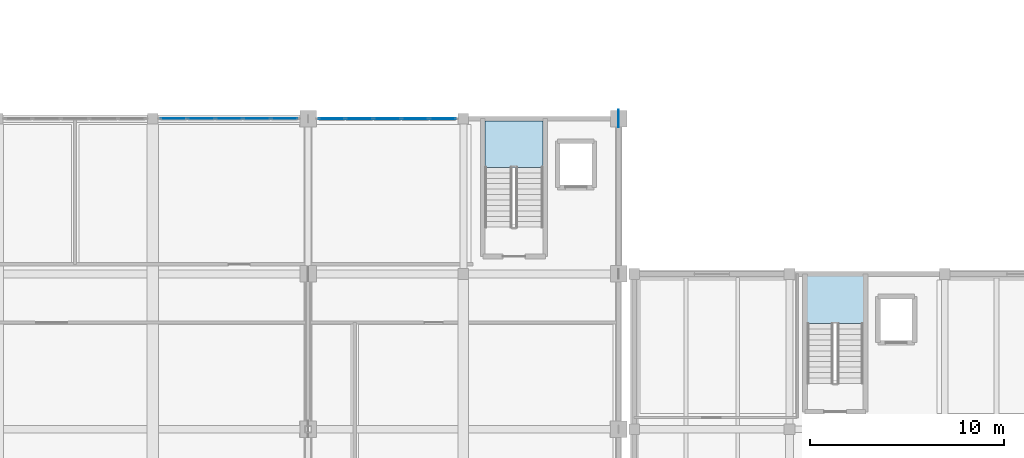
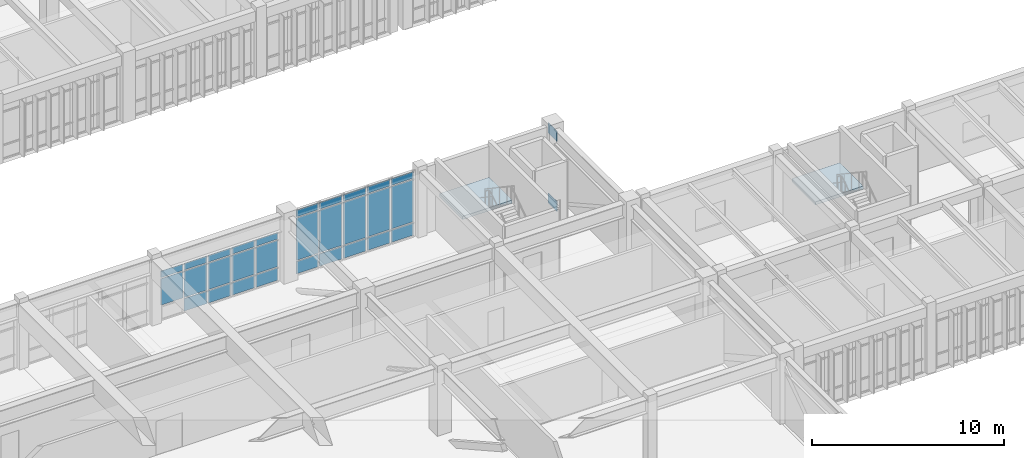
# One storey, part 39 of 79: 31 plates, 2 slabs, 4 elements without a shape of their own.
"""IFC4 building model written with IfcOpenShell, lengths in metres."""

from ifc_helpers import new_model, si_unit, direction, frame, origin, origin_2d, place, context, subcontext, project, spatial, polyline, rectangle, outline, extrude, material, layer, layer_set, type_object, element, aggregate, save


model = new_model("IFC4")

# Units and contexts
model_context = context("Model", 3, precision=1e-05, world=origin(), true_north=direction((0.0, 1.0)))
body_context = subcontext(model_context, "Body", "Model", "MODEL_VIEW")
ifc_project = project(units=[si_unit("LENGTHUNIT", "METRE"), si_unit("AREAUNIT", "SQUARE_METRE"), si_unit("VOLUMEUNIT", "CUBIC_METRE"), si_unit("PLANEANGLEUNIT", "RADIAN"), si_unit("MASSUNIT", "GRAM", prefix="KILO")], contexts=[model_context])

# Site, building, storey
site_placement = place(None, origin())
site = spatial("IfcSite", under=ifc_project, at=site_placement, CompositionType="ELEMENT")
building_placement = place(site_placement, origin())
building = spatial("IfcBuilding", under=site, at=building_placement, Name="Tlaxcora Railside Police Headquarters", CompositionType="ELEMENT")
storey_placement = place(building_placement, frame((0.0, 0.0, 9.0)))
storey = spatial("IfcBuildingStorey", under=building, at=storey_placement, Name="L02", CompositionType="ELEMENT", Elevation=9.0)

# Curtain wall, plates
ifc_material_1 = material(Name="Thermally broken low-E insulated glazing", Category="glass")
curtain_wall_type_1 = type_object("IfcCurtainWallType", Name="Unitised Curtain Wall Assembly CW-23", PredefinedType="NOTDEFINED", material=ifc_material_1)
curtain_wall_1_placement = place(storey_placement, origin())
curtain_wall_1 = element("IfcCurtainWall", 1, at=curtain_wall_1_placement, inside=storey, type_object=curtain_wall_type_1, Name="V2 L02 curtain wall 12", PredefinedType="NOTDEFINED")
ifc_layer_1 = layer(ifc_material_1, 0.0400390625, Name="Thermally broken low-E insulated glazing")
ifc_layer_set_1 = layer_set([ifc_layer_1], Name="Thermally broken low-E insulated glazing")
plate_type_1 = type_object("IfcPlateType", Name="Curtain Wall Infill Panel CW-17", PredefinedType="CURTAIN_PANEL", material=ifc_layer_set_1)
plate_1_placement = place(storey_placement, frame((92.93505859375, 60.0, 0.080078125), z_axis=(0.0, 0.0, 1.0), x_axis=(-1.0, 0.0, 0.0)))
plate_1 = element("IfcPlate", 2, at=plate_1_placement, type_object=plate_type_1, Name="CW panel 1.1", PredefinedType="CURTAIN_PANEL", context=body_context, shape_type="SweptSolid", body=[
    extrude(rectangle(XDim=1.320068359375, YDim=0.0400390625, at=origin_2d()), origin(), (0.0, 0.0, 1.0), 0.780029296875),
])
plate_2_placement = place(storey_placement, frame((92.93505859375, 60.0, 0.93994140625), z_axis=(0.0, 0.0, 1.0), x_axis=(-1.0, 0.0, 0.0)))
plate_2 = element("IfcPlate", 3, at=plate_2_placement, type_object=plate_type_1, Name="CW panel 1.2", PredefinedType="CURTAIN_PANEL", context=body_context, shape_type="SweptSolid", body=[
    extrude(rectangle(XDim=1.320068359375, YDim=0.0400390625, at=origin_2d()), origin(), (0.0, 0.0, 1.0), 2.68994140625),
])
plate_3_placement = place(storey_placement, frame((92.93505859375, 60.0, 3.7099609375), z_axis=(0.0, 0.0, 1.0), x_axis=(-1.0, 0.0, 0.0)))
plate_3 = element("IfcPlate", 4, at=plate_3_placement, type_object=plate_type_1, Name="CW panel 1.3", PredefinedType="CURTAIN_PANEL", context=body_context, shape_type="SweptSolid", body=[
    extrude(rectangle(XDim=1.320068359375, YDim=0.0400390625, at=origin_2d()), origin(), (0.0, 0.0, 1.0), 0.409912109375),
])
plate_4_placement = place(storey_placement, frame((91.514892578125, 60.0, 0.080078125), z_axis=(0.0, 0.0, 1.0), x_axis=(-1.0, 0.0, 0.0)))
plate_4 = element("IfcPlate", 5, at=plate_4_placement, type_object=plate_type_1, Name="CW panel 2.1", PredefinedType="CURTAIN_PANEL", context=body_context, shape_type="SweptSolid", body=[
    extrude(rectangle(XDim=1.360107421875, YDim=0.0400390625, at=origin_2d()), origin(), (0.0, 0.0, 1.0), 0.780029296875),
])
plate_5_placement = place(storey_placement, frame((91.514892578125, 60.0, 0.93994140625), z_axis=(0.0, 0.0, 1.0), x_axis=(-1.0, 0.0, 0.0)))
plate_5 = element("IfcPlate", 6, at=plate_5_placement, type_object=plate_type_1, Name="CW panel 2.2", PredefinedType="CURTAIN_PANEL", context=body_context, shape_type="SweptSolid", body=[
    extrude(rectangle(XDim=1.360107421875, YDim=0.0400390625, at=origin_2d()), origin(), (0.0, 0.0, 1.0), 2.68994140625),
])
plate_6_placement = place(storey_placement, frame((91.514892578125, 60.0, 3.7099609375), z_axis=(0.0, 0.0, 1.0), x_axis=(-1.0, 0.0, 0.0)))
plate_6 = element("IfcPlate", 7, at=plate_6_placement, type_object=plate_type_1, Name="CW panel 2.3", PredefinedType="CURTAIN_PANEL", context=body_context, shape_type="SweptSolid", body=[
    extrude(rectangle(XDim=1.360107421875, YDim=0.0400390625, at=origin_2d()), origin(), (0.0, 0.0, 1.0), 0.409912109375),
])
plate_7_placement = place(storey_placement, frame((90.074951171875, 60.0, 0.080078125), z_axis=(0.0, 0.0, 1.0), x_axis=(-1.0, 0.0, 0.0)))
plate_7 = element("IfcPlate", 8, at=plate_7_placement, type_object=plate_type_1, Name="CW panel 3.1", PredefinedType="CURTAIN_PANEL", context=body_context, shape_type="SweptSolid", body=[
    extrude(rectangle(XDim=1.360107421875, YDim=0.0400390625, at=origin_2d()), origin(), (0.0, 0.0, 1.0), 0.780029296875),
])
plate_8_placement = place(storey_placement, frame((90.074951171875, 60.0, 0.93994140625), z_axis=(0.0, 0.0, 1.0), x_axis=(-1.0, 0.0, 0.0)))
plate_8 = element("IfcPlate", 9, at=plate_8_placement, type_object=plate_type_1, Name="CW panel 3.2", PredefinedType="CURTAIN_PANEL", context=body_context, shape_type="SweptSolid", body=[
    extrude(rectangle(XDim=1.360107421875, YDim=0.0400390625, at=origin_2d()), origin(), (0.0, 0.0, 1.0), 2.68994140625),
])
plate_9_placement = place(storey_placement, frame((90.074951171875, 60.0, 3.7099609375), z_axis=(0.0, 0.0, 1.0), x_axis=(-1.0, 0.0, 0.0)))
plate_9 = element("IfcPlate", 10, at=plate_9_placement, type_object=plate_type_1, Name="CW panel 3.3", PredefinedType="CURTAIN_PANEL", context=body_context, shape_type="SweptSolid", body=[
    extrude(rectangle(XDim=1.360107421875, YDim=0.0400390625, at=origin_2d()), origin(), (0.0, 0.0, 1.0), 0.409912109375),
])
plate_10_placement = place(storey_placement, frame((88.635009765625, 60.0, 0.080078125), z_axis=(0.0, 0.0, 1.0), x_axis=(-1.0, 0.0, 0.0)))
plate_10 = element("IfcPlate", 11, at=plate_10_placement, type_object=plate_type_1, Name="CW panel 4.1", PredefinedType="CURTAIN_PANEL", context=body_context, shape_type="SweptSolid", body=[
    extrude(rectangle(XDim=1.360107421875, YDim=0.0400390625, at=origin_2d()), origin(), (0.0, 0.0, 1.0), 0.780029296875),
])
plate_11_placement = place(storey_placement, frame((88.635009765625, 60.0, 0.93994140625), z_axis=(0.0, 0.0, 1.0), x_axis=(-1.0, 0.0, 0.0)))
plate_11 = element("IfcPlate", 12, at=plate_11_placement, type_object=plate_type_1, Name="CW panel 4.2", PredefinedType="CURTAIN_PANEL", context=body_context, shape_type="SweptSolid", body=[
    extrude(rectangle(XDim=1.360107421875, YDim=0.0400390625, at=origin_2d()), origin(), (0.0, 0.0, 1.0), 2.68994140625),
])
plate_12_placement = place(storey_placement, frame((88.635009765625, 60.0, 3.7099609375), z_axis=(0.0, 0.0, 1.0), x_axis=(-1.0, 0.0, 0.0)))
plate_12 = element("IfcPlate", 13, at=plate_12_placement, type_object=plate_type_1, Name="CW panel 4.3", PredefinedType="CURTAIN_PANEL", context=body_context, shape_type="SweptSolid", body=[
    extrude(rectangle(XDim=1.360107421875, YDim=0.0400390625, at=origin_2d()), origin(), (0.0, 0.0, 1.0), 0.409912109375),
])
plate_13_placement = place(storey_placement, frame((87.215087890625, 60.0, 0.080078125), z_axis=(0.0, 0.0, 1.0), x_axis=(-1.0, 0.0, 0.0)))
plate_13 = element("IfcPlate", 14, at=plate_13_placement, type_object=plate_type_1, Name="CW panel 5.1", PredefinedType="CURTAIN_PANEL", context=body_context, shape_type="SweptSolid", body=[
    extrude(rectangle(XDim=1.320068359375, YDim=0.0400390625, at=origin_2d()), origin(), (0.0, 0.0, 1.0), 0.780029296875),
])
plate_14_placement = place(storey_placement, frame((87.215087890625, 60.0, 0.93994140625), z_axis=(0.0, 0.0, 1.0), x_axis=(-1.0, 0.0, 0.0)))
plate_14 = element("IfcPlate", 15, at=plate_14_placement, type_object=plate_type_1, Name="CW panel 5.2", PredefinedType="CURTAIN_PANEL", context=body_context, shape_type="SweptSolid", body=[
    extrude(rectangle(XDim=1.320068359375, YDim=0.0400390625, at=origin_2d()), origin(), (0.0, 0.0, 1.0), 2.68994140625),
])
plate_15_placement = place(storey_placement, frame((87.215087890625, 60.0, 3.7099609375), z_axis=(0.0, 0.0, 1.0), x_axis=(-1.0, 0.0, 0.0)))
plate_15 = element("IfcPlate", 16, at=plate_15_placement, type_object=plate_type_1, Name="CW panel 5.3", PredefinedType="CURTAIN_PANEL", context=body_context, shape_type="SweptSolid", body=[
    extrude(rectangle(XDim=1.320068359375, YDim=0.0400390625, at=origin_2d()), origin(), (0.0, 0.0, 1.0), 0.409912109375),
])
aggregate(curtain_wall_1, [plate_1, plate_2, plate_3, plate_4, plate_5, plate_6, plate_7, plate_8, plate_9, plate_10, plate_11, plate_12, plate_13, plate_14, plate_15])

curtain_wall_type_2 = type_object("IfcCurtainWallType", Name="Unitised Curtain Wall Assembly CW-38", PredefinedType="NOTDEFINED", material=ifc_material_1)
curtain_wall_2_placement = place(storey_placement, origin())
curtain_wall_2 = element("IfcCurtainWall", 17, at=curtain_wall_2_placement, inside=storey, type_object=curtain_wall_type_2, Name="V2 L02 curtain wall 13", PredefinedType="NOTDEFINED")
ifc_layer_2 = layer(ifc_material_1, 0.028076171875, Name="Thermally broken low-E insulated glazing")
ifc_layer_set_2 = layer_set([ifc_layer_2], Name="Thermally broken low-E insulated glazing")
plate_type_2 = type_object("IfcPlateType", Name="Curtain Wall Infill Panel CW-92", PredefinedType="CURTAIN_PANEL", material=ifc_layer_set_2)
plate_16_placement = place(storey_placement, frame((84.7861328125, 60.0, 0.074951171875), z_axis=(0.0, 0.0, 1.0), x_axis=(-1.0, 0.0, 0.0)))
plate_16 = element("IfcPlate", 18, at=plate_16_placement, type_object=plate_type_2, Name="CW panel 1.1", PredefinedType="CURTAIN_PANEL", context=body_context, shape_type="SweptSolid", body=[
    extrude(rectangle(XDim=1.327392578125, YDim=0.028076171875, at=origin_2d()), origin(), (0.0, 0.0, 1.0), 0.78759765625),
])
plate_17_placement = place(storey_placement, frame((84.7861328125, 60.0, 0.9375), z_axis=(0.0, 0.0, 1.0), x_axis=(-1.0, 0.0, 0.0)))
plate_17 = element("IfcPlate", 19, at=plate_17_placement, type_object=plate_type_2, Name="CW panel 1.2", PredefinedType="CURTAIN_PANEL", context=body_context, shape_type="SweptSolid", body=[
    extrude(rectangle(XDim=1.327392578125, YDim=0.028076171875, at=origin_2d()), origin(), (0.0, 0.0, 1.0), 1.675048828125),
])
plate_18_placement = place(storey_placement, frame((84.7861328125, 60.0, 2.6875), z_axis=(0.0, 0.0, 1.0), x_axis=(-1.0, 0.0, 0.0)))
plate_18 = element("IfcPlate", 20, at=plate_18_placement, type_object=plate_type_2, Name="CW panel 1.3", PredefinedType="CURTAIN_PANEL", context=body_context, shape_type="SweptSolid", body=[
    extrude(rectangle(XDim=1.327392578125, YDim=0.028076171875, at=origin_2d()), origin(), (0.0, 0.0, 1.0), 0.41748046875),
])
plate_19_placement = place(storey_placement, frame((83.364990234375, 60.0, 0.074951171875), z_axis=(0.0, 0.0, 1.0), x_axis=(-1.0, 0.0, 0.0)))
plate_19 = element("IfcPlate", 21, at=plate_19_placement, type_object=plate_type_2, Name="CW panel 2.1", PredefinedType="CURTAIN_PANEL", context=body_context, shape_type="SweptSolid", body=[
    extrude(rectangle(XDim=1.364990234375, YDim=0.028076171875, at=origin_2d()), origin(), (0.0, 0.0, 1.0), 0.78759765625),
])
plate_20_placement = place(storey_placement, frame((83.364990234375, 60.0, 0.9375), z_axis=(0.0, 0.0, 1.0), x_axis=(-1.0, 0.0, 0.0)))
plate_20 = element("IfcPlate", 22, at=plate_20_placement, type_object=plate_type_2, Name="CW panel 2.2", PredefinedType="CURTAIN_PANEL", context=body_context, shape_type="SweptSolid", body=[
    extrude(rectangle(XDim=1.364990234375, YDim=0.028076171875, at=origin_2d()), origin(), (0.0, 0.0, 1.0), 1.675048828125),
])
plate_21_placement = place(storey_placement, frame((83.364990234375, 60.0, 2.6875), z_axis=(0.0, 0.0, 1.0), x_axis=(-1.0, 0.0, 0.0)))
plate_21 = element("IfcPlate", 23, at=plate_21_placement, type_object=plate_type_2, Name="CW panel 2.3", PredefinedType="CURTAIN_PANEL", context=body_context, shape_type="SweptSolid", body=[
    extrude(rectangle(XDim=1.364990234375, YDim=0.028076171875, at=origin_2d()), origin(), (0.0, 0.0, 1.0), 0.41748046875),
])
plate_22_placement = place(storey_placement, frame((81.925048828125, 60.0, 0.074951171875), z_axis=(0.0, 0.0, 1.0), x_axis=(-1.0, 0.0, 0.0)))
plate_22 = element("IfcPlate", 24, at=plate_22_placement, type_object=plate_type_2, Name="CW panel 3.1", PredefinedType="CURTAIN_PANEL", context=body_context, shape_type="SweptSolid", body=[
    extrude(rectangle(XDim=1.364990234375, YDim=0.028076171875, at=origin_2d()), origin(), (0.0, 0.0, 1.0), 0.78759765625),
])
plate_23_placement = place(storey_placement, frame((81.925048828125, 60.0, 0.9375), z_axis=(0.0, 0.0, 1.0), x_axis=(-1.0, 0.0, 0.0)))
plate_23 = element("IfcPlate", 25, at=plate_23_placement, type_object=plate_type_2, Name="CW panel 3.2", PredefinedType="CURTAIN_PANEL", context=body_context, shape_type="SweptSolid", body=[
    extrude(rectangle(XDim=1.364990234375, YDim=0.028076171875, at=origin_2d()), origin(), (0.0, 0.0, 1.0), 1.675048828125),
])
plate_24_placement = place(storey_placement, frame((81.925048828125, 60.0, 2.6875), z_axis=(0.0, 0.0, 1.0), x_axis=(-1.0, 0.0, 0.0)))
plate_24 = element("IfcPlate", 26, at=plate_24_placement, type_object=plate_type_2, Name="CW panel 3.3", PredefinedType="CURTAIN_PANEL", context=body_context, shape_type="SweptSolid", body=[
    extrude(rectangle(XDim=1.364990234375, YDim=0.028076171875, at=origin_2d()), origin(), (0.0, 0.0, 1.0), 0.41748046875),
])
plate_25_placement = place(storey_placement, frame((80.485107421875, 60.0, 0.074951171875), z_axis=(0.0, 0.0, 1.0), x_axis=(-1.0, 0.0, 0.0)))
plate_25 = element("IfcPlate", 27, at=plate_25_placement, type_object=plate_type_2, Name="CW panel 4.1", PredefinedType="CURTAIN_PANEL", context=body_context, shape_type="SweptSolid", body=[
    extrude(rectangle(XDim=1.364990234375, YDim=0.028076171875, at=origin_2d()), origin(), (0.0, 0.0, 1.0), 0.78759765625),
])
plate_26_placement = place(storey_placement, frame((80.485107421875, 60.0, 0.9375), z_axis=(0.0, 0.0, 1.0), x_axis=(-1.0, 0.0, 0.0)))
plate_26 = element("IfcPlate", 28, at=plate_26_placement, type_object=plate_type_2, Name="CW panel 4.2", PredefinedType="CURTAIN_PANEL", context=body_context, shape_type="SweptSolid", body=[
    extrude(rectangle(XDim=1.364990234375, YDim=0.028076171875, at=origin_2d()), origin(), (0.0, 0.0, 1.0), 1.675048828125),
])
plate_27_placement = place(storey_placement, frame((80.485107421875, 60.0, 2.6875), z_axis=(0.0, 0.0, 1.0), x_axis=(-1.0, 0.0, 0.0)))
plate_27 = element("IfcPlate", 29, at=plate_27_placement, type_object=plate_type_2, Name="CW panel 4.3", PredefinedType="CURTAIN_PANEL", context=body_context, shape_type="SweptSolid", body=[
    extrude(rectangle(XDim=1.364990234375, YDim=0.028076171875, at=origin_2d()), origin(), (0.0, 0.0, 1.0), 0.41748046875),
])
plate_28_placement = place(storey_placement, frame((79.063720703125, 60.0, 0.9375), z_axis=(0.0, 0.0, 1.0), x_axis=(-1.0, 0.0, 0.0)))
plate_28 = element("IfcPlate", 30, at=plate_28_placement, type_object=plate_type_2, Name="CW panel 5.2", PredefinedType="CURTAIN_PANEL", context=body_context, shape_type="SweptSolid", body=[
    extrude(rectangle(XDim=1.327392578125, YDim=0.028076171875, at=origin_2d()), origin(), (0.0, 0.0, 1.0), 1.675048828125),
])
plate_29_placement = place(storey_placement, frame((79.063720703125, 60.0, 2.6875), z_axis=(0.0, 0.0, 1.0), x_axis=(-1.0, 0.0, 0.0)))
plate_29 = element("IfcPlate", 31, at=plate_29_placement, type_object=plate_type_2, Name="CW panel 5.3", PredefinedType="CURTAIN_PANEL", context=body_context, shape_type="SweptSolid", body=[
    extrude(rectangle(XDim=1.327392578125, YDim=0.028076171875, at=origin_2d()), origin(), (0.0, 0.0, 1.0), 0.41748046875),
])
aggregate(curtain_wall_2, [plate_16, plate_17, plate_18, plate_19, plate_20, plate_21, plate_22, plate_23, plate_24, plate_25, plate_26, plate_27, plate_28, plate_29])

# Stair, slab
ifc_material_2 = material(Name="Concrete C40/50", Category="concrete")
stair_type_1 = type_object("IfcStairType", Name="Half-Turn Dog-Leg Stair ST-58", PredefinedType="HALF_TURN_STAIR", material=ifc_material_2)
stair_1_placement = place(storey_placement, origin())
stair_1 = element("IfcStair", 32, at=stair_1_placement, inside=storey, type_object=stair_type_1, Name="L02 ST9", PredefinedType="HALF_TURN_STAIR")
ifc_material_3 = material(Name="Concrete C35/45", Category="concrete")
ifc_layer_3 = layer(ifc_material_3, 0.199951171875, Name="Concrete C35/45")
ifc_layer_set_3 = layer_set([ifc_layer_3], Name="Concrete C35/45")
slab_type = type_object("IfcSlabType", Name="Stair Landing Slab SL-23", PredefinedType="LANDING", material=ifc_layer_set_3)
slab_1_placement = place(storey_placement, frame((0.0, 0.0, 2.050048828125)))
slab_1 = element("IfcSlab", 33, at=slab_1_placement, type_object=slab_type, Name="ST9 landing 1", PredefinedType="LANDING", context=body_context, shape_type="SweptSolid", body=[
    extrude(outline(polyline([(98.110107421875, 57.489990234375), (98.110107421875, 59.889892578125), (95.110107421875, 59.889892578125), (95.110107421875, 57.489990234375), (98.110107421875, 57.489990234375)])), origin(), (0.0, 0.0, 1.0), 0.199951171875),
])
aggregate(stair_1, [slab_1])

stair_type_2 = type_object("IfcStairType", Name="Half-Turn Dog-Leg Stair ST-97", PredefinedType="HALF_TURN_STAIR", material=ifc_material_2)
stair_2_placement = place(storey_placement, origin())
stair_2 = element("IfcStair", 34, at=stair_2_placement, inside=storey, type_object=stair_type_2, Name="L02 ST5", PredefinedType="HALF_TURN_STAIR")
slab_2_placement = place(storey_placement, frame((0.0, 0.0, 2.050048828125)))
slab_2 = element("IfcSlab", 35, at=slab_2_placement, type_object=slab_type, Name="ST5 landing 1", PredefinedType="LANDING", context=body_context, shape_type="SweptSolid", body=[
    extrude(outline(polyline([(114.610107421875, 49.43994140625), (114.610107421875, 51.889892578125), (111.7099609375, 51.889892578125), (111.7099609375, 49.43994140625), (114.610107421875, 49.43994140625)])), origin(), (0.0, 0.0, 1.0), 0.199951171875),
])
aggregate(stair_2, [slab_2])

# Plates
ifc_material_4 = material(Name="Steel ASTM A992 Grade 50", Category="steel")
ifc_layer_4 = layer(ifc_material_4, 0.031982421875, Name="Steel ASTM A992 Grade 50")
ifc_layer_set_4 = layer_set([ifc_layer_4], Name="Steel ASTM A992 Grade 50")
plate_type_3 = type_object("IfcPlateType", Name="Structural Gusset or Cap Plate GP-80", PredefinedType="USERDEFINED", material=ifc_layer_set_4)
for number, where, z_axis, x_axis, name in (
    (36, (102.0, 60.0, 3.375), (0.0, 0.0, 1.0), (0.0, 1.0, 0.0), "Truss gusset plate KN-4-0"),
    (37, (102.0, 60.0, -1.094970703125), (0.0, 0.0, 1.0), (0.0, 1.0, 0.0), "Truss bottom-chord gusset plate KNB-4-0"),
):
    element("IfcPlate", number, at=place(storey_placement, frame(where, z_axis=z_axis, x_axis=x_axis)), inside=storey, type_object=plate_type_3, Name=name, ObjectType="GUSSET PLATE", PredefinedType="USERDEFINED", context=body_context, shape_type="SweptSolid", body=[
        extrude(rectangle(XDim=0.89990234375, YDim=0.031982421875, at=origin_2d()), origin(), (0.0, 0.0, 1.0), 0.64990234375),
    ])

save(model, "model.ifc")
